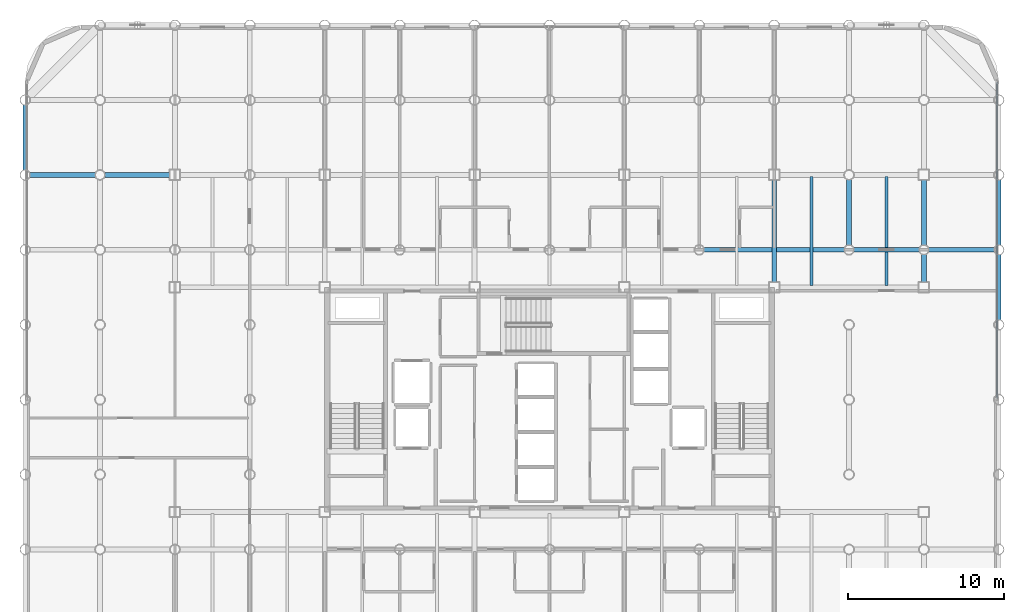
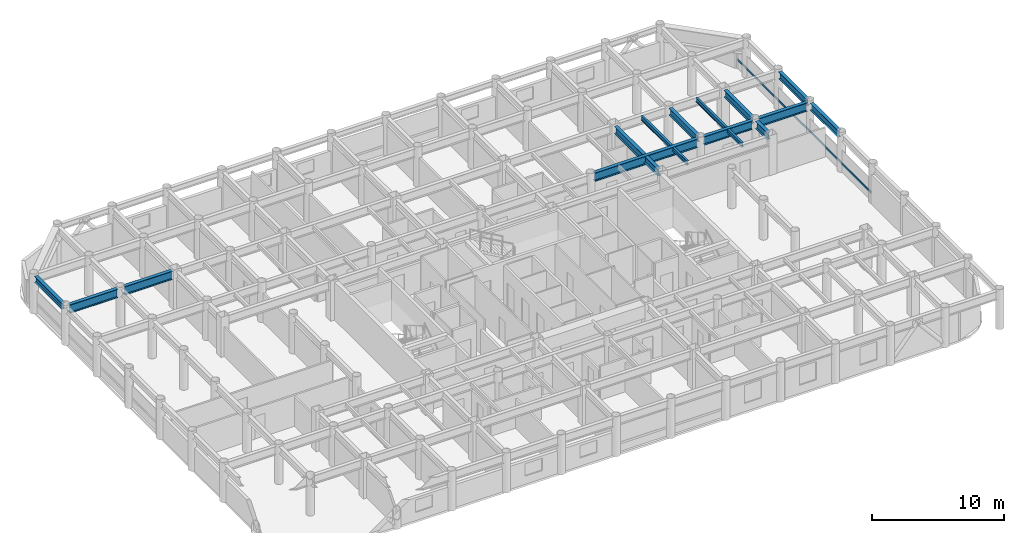
# One storey, part 9 of 20: 14 beams, 1 member, 1 element without a shape of its own.
"""IFC4 building model written with IfcOpenShell, lengths in metres."""

from ifc_helpers import new_model, si_unit, direction, frame, origin, origin_2d, place, context, subcontext, project, spatial, hollow_rectangle, i_section, extrude, material, layer, layer_set, material_profile, profile_set, type_object, element, aggregate, save


model = new_model("IFC4")

# Units and contexts
model_context = context("Model", 3, precision=1e-05, world=origin(), true_north=direction((0.0, 1.0)))
body_context = subcontext(model_context, "Body", "Model", "MODEL_VIEW")
ifc_project = project(units=[si_unit("LENGTHUNIT", "METRE"), si_unit("AREAUNIT", "SQUARE_METRE"), si_unit("VOLUMEUNIT", "CUBIC_METRE"), si_unit("PLANEANGLEUNIT", "RADIAN"), si_unit("MASSUNIT", "GRAM", prefix="KILO")], contexts=[model_context])

# Site, building, storey
site_placement = place(None, origin())
site = spatial("IfcSite", under=ifc_project, at=site_placement, CompositionType="ELEMENT")
building_placement = place(site_placement, origin())
building = spatial("IfcBuilding", under=site, at=building_placement, Name="Kallvorn Hotel Tower", CompositionType="ELEMENT")
storey_placement = place(building_placement, frame((0.0, 0.0, 128.5)))
storey = spatial("IfcBuildingStorey", under=building, at=storey_placement, Name="L31", CompositionType="ELEMENT", Elevation=128.5)

# Beams
ifc_material_1 = material(Name="Structural steel S355JR", Category="steel")
ifc_material_profile_1 = material_profile(ifc_material_1, i_section(OverallWidth=0.300048828125, OverallDepth=0.550048828125, WebThickness=0.014892578125, FlangeThickness=0.029052734375, at=origin_2d()), Name="HE 550 B")
ifc_profile_set_1 = profile_set([ifc_material_profile_1], Name="Structural steel S355JR")
beam_type_1 = type_object("IfcBeamType", Name="BM_HE550B", PredefinedType="SPANDREL", material=ifc_profile_set_1)
beam_1_placement = place(storey_placement, frame((-33.60009765625, 14.719970703125, 3.2451171875), z_axis=(0.0, 1.0, 0.0), x_axis=(-1.0, 0.0, 0.0)))
element("IfcBeam", 1, at=beam_1_placement, inside=storey, type_object=beam_type_1, Name="L32 Perimeter Spandrel 180", PredefinedType="SPANDREL", context=body_context, shape_type="SweptSolid", body=[
    extrude(i_section(OverallWidth=0.300048828125, OverallDepth=0.550048828125, WebThickness=0.014892578125, FlangeThickness=0.029052734375, at=origin_2d()), origin(), (0.0, 0.0, 1.0), 4.159912109375),
])
ifc_material_2 = material(Name="Structural steel S355JR", Category="steel")
ifc_material_profile_2 = material_profile(ifc_material_2, i_section(OverallWidth=0.300048828125, OverallDepth=0.64990234375, WebThickness=0.01611328125, FlangeThickness=0.031005859375, at=origin_2d()), Name="HE 650 B")
ifc_profile_set_2 = profile_set([ifc_material_profile_2], Name="Structural steel S355JR")
beam_type_2 = type_object("IfcBeamType", Name="BM_HE650B", PredefinedType="BEAM", material=ifc_profile_set_2)
beam_2_placement = place(storey_placement, frame((14.39990234375, 7.52490234375, 3.195068359375), z_axis=(0.0, 1.0, 0.0), x_axis=(-1.0, 0.0, 0.0)))
element("IfcBeam", 2, at=beam_2_placement, inside=storey, type_object=beam_type_2, Name="L32 Primary Y-Girder 124", PredefinedType="BEAM", context=body_context, shape_type="SweptSolid", body=[
    extrude(i_section(OverallWidth=0.300048828125, OverallDepth=0.64990234375, WebThickness=0.01611328125, FlangeThickness=0.031005859375, at=origin_2d()), origin(), (0.0, 0.0, 1.0), 6.550048828125),
])
beam_3_placement = place(storey_placement, frame((19.199951171875, 9.905029296875, 3.195068359375), z_axis=(0.0, 1.0, 0.0), x_axis=(-1.0, 0.0, 0.0)))
element("IfcBeam", 3, at=beam_3_placement, inside=storey, type_object=beam_type_2, Name="L32 Primary Y-Girder 133", PredefinedType="BEAM", context=body_context, shape_type="SweptSolid", body=[
    extrude(i_section(OverallWidth=0.300048828125, OverallDepth=0.64990234375, WebThickness=0.01611328125, FlangeThickness=0.031005859375, at=origin_2d()), origin(), (0.0, 0.0, 1.0), 4.18994140625),
])
beam_4_placement = place(storey_placement, frame((24.0, 7.52490234375, 3.195068359375), z_axis=(0.0, 1.0, 0.0), x_axis=(-1.0, 0.0, 0.0)))
element("IfcBeam", 4, at=beam_4_placement, inside=storey, type_object=beam_type_2, Name="L32 Primary Y-Girder 139", PredefinedType="BEAM", context=body_context, shape_type="SweptSolid", body=[
    extrude(i_section(OverallWidth=0.300048828125, OverallDepth=0.64990234375, WebThickness=0.01611328125, FlangeThickness=0.031005859375, at=origin_2d()), origin(), (0.0, 0.0, 1.0), 1.77001953125),
])
beam_5_placement = place(storey_placement, frame((24.0, 9.905029296875, 3.195068359375), z_axis=(0.0, 1.0, 0.0), x_axis=(-1.0, 0.0, 0.0)))
element("IfcBeam", 5, at=beam_5_placement, inside=storey, type_object=beam_type_2, Name="L32 Primary Y-Girder 140", PredefinedType="BEAM", context=body_context, shape_type="SweptSolid", body=[
    extrude(i_section(OverallWidth=0.300048828125, OverallDepth=0.64990234375, WebThickness=0.01611328125, FlangeThickness=0.031005859375, at=origin_2d()), origin(), (0.0, 0.0, 1.0), 4.169921875),
])
for number, where, z_axis, x_axis, name in (
    (6, (28.800048828125, 5.10498046875, 3.195068359375), (0.0, 1.0, 0.0), (-1.0, 0.0, 0.0), "L32 Primary Y-Girder 148"),
    (7, (28.800048828125, 9.905029296875, 3.195068359375), (0.0, 1.0, 0.0), (-1.0, 0.0, 0.0), "L32 Primary Y-Girder 149"),
):
    element("IfcBeam", number, at=place(storey_placement, frame(where, z_axis=z_axis, x_axis=x_axis)), inside=storey, type_object=beam_type_2, Name=name, PredefinedType="BEAM", context=body_context, shape_type="SweptSolid", body=[
        extrude(i_section(OverallWidth=0.300048828125, OverallDepth=0.64990234375, WebThickness=0.01611328125, FlangeThickness=0.031005859375, at=origin_2d()), origin(), (0.0, 0.0, 1.0), 4.18994140625),
    ])
ifc_material_3 = material(Name="Structural steel S355JR", Category="steel")
ifc_material_profile_3 = material_profile(ifc_material_3, i_section(OverallWidth=0.300048828125, OverallDepth=0.800048828125, WebThickness=0.017578125, FlangeThickness=0.032958984375, at=origin_2d()), Name="HE 800 B")
ifc_profile_set_3 = profile_set([ifc_material_profile_3], Name="Structural steel S355JR")
beam_type_3 = type_object("IfcBeamType", Name="BM_HE800B", PredefinedType="BEAM", material=ifc_profile_set_3)
beam_6_placement = place(storey_placement, frame((9.905029296875, 9.60009765625, 3.1201171875), z_axis=(1.0, 0.0, 0.0), x_axis=(0.0, 1.0, 0.0)))
element("IfcBeam", 8, at=beam_6_placement, inside=storey, type_object=beam_type_3, Name="L32 Primary X-Girder 47", PredefinedType="BEAM", context=body_context, shape_type="SweptSolid", body=[
    extrude(i_section(OverallWidth=0.300048828125, OverallDepth=0.800048828125, WebThickness=0.017578125, FlangeThickness=0.032958984375, at=origin_2d()), origin(), (0.0, 0.0, 1.0), 8.989990234375),
])
for number, where, z_axis, x_axis, name in (
    (9, (19.5048828125, 9.60009765625, 3.1201171875), (1.0, 0.0, 0.0), (0.0, 1.0, 0.0), "L32 Primary X-Girder 48"),
    (10, (24.304931640625, 9.60009765625, 3.1201171875), (1.0, 0.0, 0.0), (0.0, 1.0, 0.0), "L32 Primary X-Girder 49"),
):
    element("IfcBeam", number, at=place(storey_placement, frame(where, z_axis=z_axis, x_axis=x_axis)), inside=storey, type_object=beam_type_3, Name=name, PredefinedType="BEAM", context=body_context, shape_type="SweptSolid", body=[
        extrude(i_section(OverallWidth=0.300048828125, OverallDepth=0.800048828125, WebThickness=0.017578125, FlangeThickness=0.032958984375, at=origin_2d()), origin(), (0.0, 0.0, 1.0), 4.190185546875),
    ])
beam_7_placement = place(storey_placement, frame((-33.294921875, 14.39990234375, 3.1201171875), z_axis=(1.0, 0.0, 0.0), x_axis=(0.0, 1.0, 0.0)))
element("IfcBeam", 11, at=beam_7_placement, inside=storey, type_object=beam_type_3, Name="L32 Primary X-Girder 50", PredefinedType="BEAM", context=body_context, shape_type="SweptSolid", body=[
    extrude(i_section(OverallWidth=0.300048828125, OverallDepth=0.800048828125, WebThickness=0.017578125, FlangeThickness=0.032958984375, at=origin_2d()), origin(), (0.0, 0.0, 1.0), 4.18994140625),
])
beam_8_placement = place(storey_placement, frame((-28.4951171875, 14.39990234375, 3.1201171875), z_axis=(1.0, 0.0, 0.0), x_axis=(0.0, 1.0, 0.0)))
element("IfcBeam", 12, at=beam_8_placement, inside=storey, type_object=beam_type_3, Name="L32 Primary X-Girder 51", PredefinedType="BEAM", context=body_context, shape_type="SweptSolid", body=[
    extrude(i_section(OverallWidth=0.300048828125, OverallDepth=0.800048828125, WebThickness=0.017578125, FlangeThickness=0.032958984375, at=origin_2d()), origin(), (0.0, 0.0, 1.0), 4.170166015625),
])
ifc_material_4 = material(Name="Structural steel S355JR", Category="steel")
ifc_material_profile_4 = material_profile(ifc_material_4, i_section(OverallWidth=0.179931640625, OverallDepth=0.39990234375, WebThickness=0.008544921875, FlangeThickness=0.013427734375, at=origin_2d()), Name="IPE 400")
ifc_profile_set_4 = profile_set([ifc_material_profile_4], Name="Structural steel S355JR")
beam_type_4 = type_object("IfcBeamType", Name="BM_IPE400", PredefinedType="JOIST", material=ifc_profile_set_4)
for number, where, z_axis, x_axis, name in (
    (13, (16.800048828125, 7.300048828125, 3.320068359375), (0.0, 1.0, 0.0), (-1.0, 0.0, 0.0), "L32 Secondary Composite Joist 207"),
    (14, (21.60009765625, 7.300048828125, 3.320068359375), (0.0, 1.0, 0.0), (-1.0, 0.0, 0.0), "L32 Secondary Composite Joist 209"),
):
    element("IfcBeam", number, at=place(storey_placement, frame(where, z_axis=z_axis, x_axis=x_axis)), inside=storey, type_object=beam_type_4, Name=name, PredefinedType="JOIST", context=body_context, shape_type="SweptSolid", body=[
        extrude(i_section(OverallWidth=0.179931640625, OverallDepth=0.39990234375, WebThickness=0.008544921875, FlangeThickness=0.013427734375, at=origin_2d()), origin(), (0.0, 0.0, 1.0), 7.0),
    ])

# Curtain wall, member
ifc_material_5 = material(Name="Thermally broken black-anodised aluminium AA 6063-T6", Category="aluminium")
ifc_layer = layer(ifc_material_5, 0.2099609375)
ifc_layer_set = layer_set([ifc_layer], Name="CW_SYS_4_HOTEL_MID")
curtain_wall_type = type_object("IfcCurtainWallType", Name="CW_SYS_4_HOTEL_MID", PredefinedType="USERDEFINED", material=ifc_layer_set)
curtain_wall_placement = place(storey_placement, origin())
curtain_wall = element("IfcCurtainWall", 15, at=curtain_wall_placement, inside=storey, type_object=curtain_wall_type, Name="L31 Dark-Glass Curtain Wall CW-L31-EN", ObjectType="UNITISED CURTAIN WALL", PredefinedType="USERDEFINED")
ifc_material_6 = material(Name="Thermally broken black-anodised aluminium AA 6063-T6", Category="aluminium")
ifc_material_profile_5 = material_profile(ifc_material_6, hollow_rectangle(XDim=0.070068359375, YDim=0.179931640625, WallThickness=0.00390625, at=origin_2d()), Name="TRN 180x70")
ifc_profile_set_5 = profile_set([ifc_material_profile_5], Name="Thermally broken black-anodised aluminium AA 6063-T6")
member_type = type_object("IfcMemberType", Name="CW_TRANSOM_180x70", PredefinedType="USERDEFINED", material=ifc_profile_set_5)
member_placement = place(storey_placement, frame((28.679931640625, 0.06005859375, 0.85009765625), z_axis=(0.0, 1.0, 0.0), x_axis=(-1.0, 0.0, 0.0)))
member = element("IfcMember", 16, at=member_placement, type_object=member_type, Name="CW-L31-EN Transom 00M", ObjectType="TRANSOM", PredefinedType="USERDEFINED", context=body_context, shape_type="SweptSolid", body=[
    extrude(hollow_rectangle(XDim=0.070068359375, YDim=0.179931640625, WallThickness=0.00390625, at=origin_2d()), origin(), (0.0, 0.0, 1.0), 20.300048828125),
])
aggregate(curtain_wall, [member])

save(model, "model.ifc")
